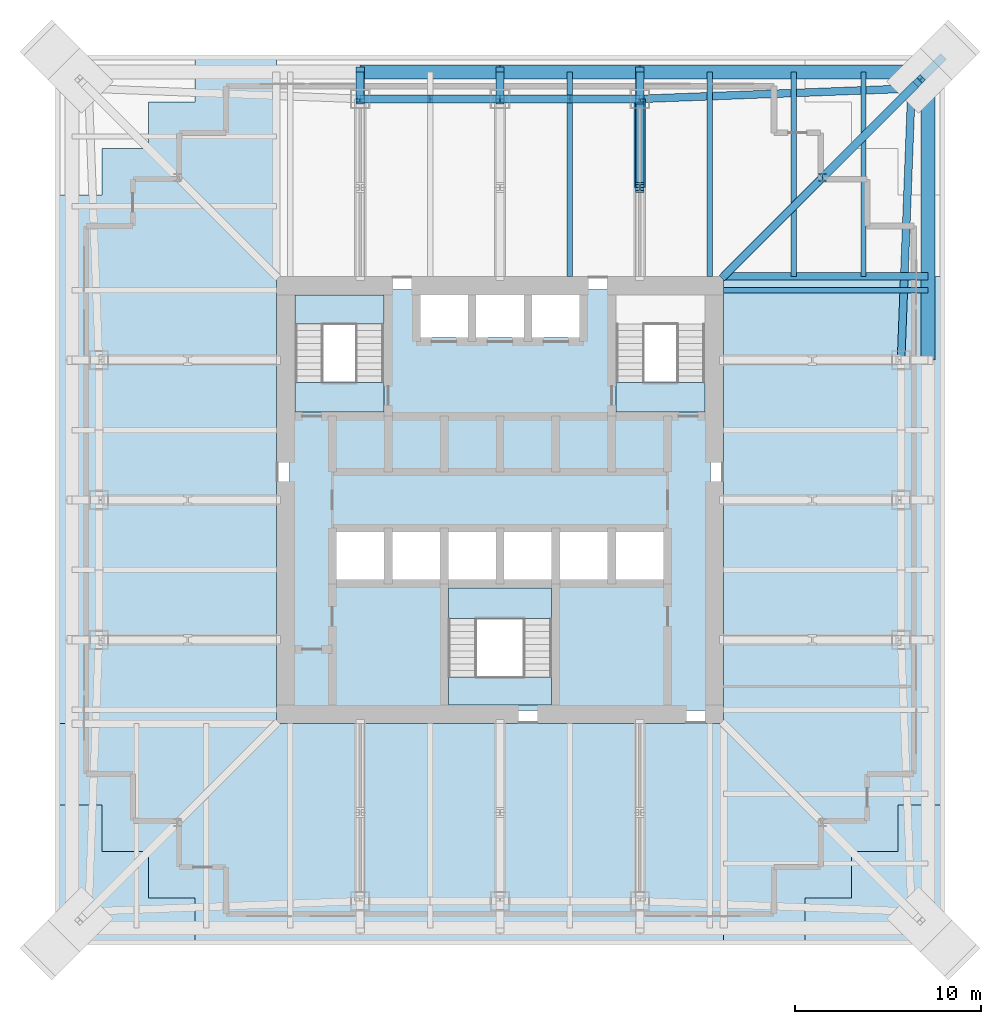
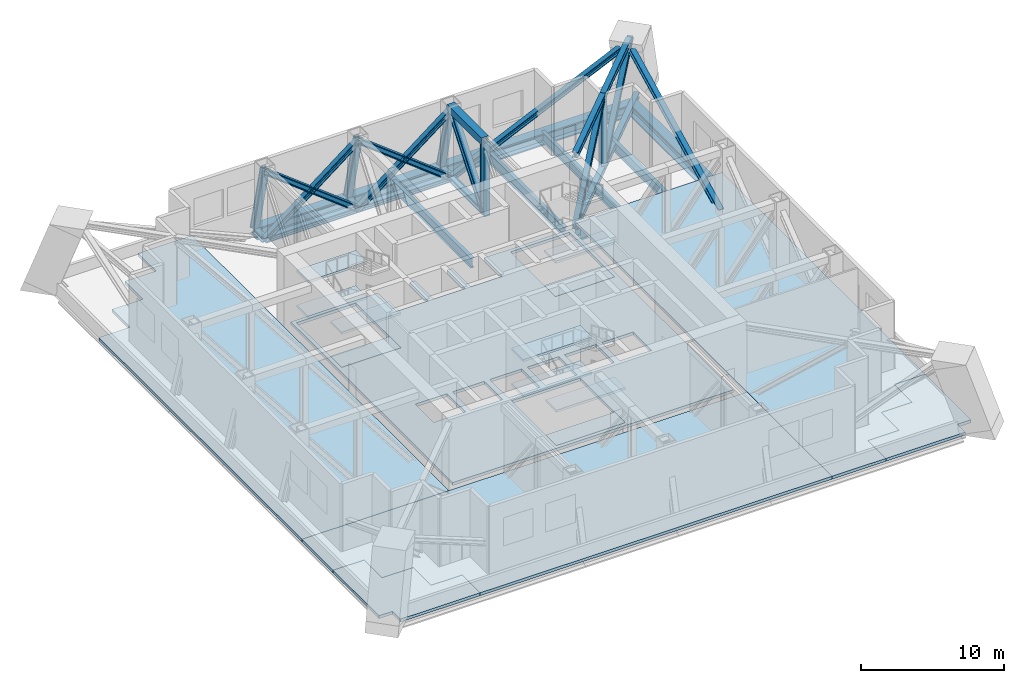
# One storey, part 4 of 8: 29 members, 16 slabs, 10 beams, 3 elements without a shape of their own.
"""IFC4 building model written with IfcOpenShell, lengths in metres."""

from ifc_helpers import new_model, si_unit, direction, frame, origin, origin_2d, place, context, subcontext, project, spatial, polyline, hollow_rectangle, i_section, outline, extrude, clip, halfspace, material, layer, layer_set, material_profile, profile_set, type_object, element, aggregate, save


model = new_model("IFC4")

# Units and contexts
model_context = context("Model", 3, precision=1e-05, world=origin(), true_north=direction((0.0, 1.0)))
body_context = subcontext(model_context, "Body", "Model", "MODEL_VIEW")
ifc_project = project(units=[si_unit("LENGTHUNIT", "METRE"), si_unit("AREAUNIT", "SQUARE_METRE"), si_unit("VOLUMEUNIT", "CUBIC_METRE"), si_unit("PLANEANGLEUNIT", "RADIAN"), si_unit("MASSUNIT", "GRAM", prefix="KILO")], contexts=[model_context])

# Site, building, storey
site_placement = place(None, origin())
site = spatial("IfcSite", under=ifc_project, at=site_placement, CompositionType="ELEMENT")
building_placement = place(site_placement, origin())
building = spatial("IfcBuilding", under=site, at=building_placement, Name="Tarangal Relay Tower", CompositionType="ELEMENT")
storey_placement = place(building_placement, frame((0.0, 0.0, 171.89990234375)))
storey = spatial("IfcBuildingStorey", under=building, at=storey_placement, Name="L35", CompositionType="ELEMENT", Elevation=171.89990234375)

# Members
ifc_material_1 = material(Name="Steel ASTM A992", Category="steel")
ifc_material_profile_1 = material_profile(ifc_material_1, i_section(OverallWidth=0.41162109375, OverallDepth=0.434326171875, WebThickness=0.035888671875, FlangeThickness=0.057373046875, at=origin_2d()), Name="W14X311")
ifc_profile_set_1 = profile_set([ifc_material_profile_1], Name="Steel ASTM A992")
member_type_1 = type_object("IfcMemberType", Name="Belt truss brace W14X311", PredefinedType="BRACE", material=ifc_profile_set_1)
for number, where, z_axis, x_axis, name in (
    (1, (-7.5, 21.514892578125, -0.4912109375), (0.790714061524, 0.0, 0.612185652321), (0.0, 1.0, 0.0), "Belt truss N L35 brace"),
    (2, (-3.75, 21.514892578125, 2.412109375), (0.790714061524, 0.0, 0.612185652321), (0.0, 1.0, 0.0), "Belt truss N L35 brace"),
    (3, (0.0, 21.514892578125, -0.4912109375), (-0.790714061524, 0.0, 0.612185652321), (0.0, -1.0, 0.0), "Belt truss N L35 brace"),
    (4, (-3.75, 21.514892578125, 2.412109375), (-0.790714061524, 0.0, 0.612185652321), (0.0, -1.0, 0.0), "Belt truss N L35 brace"),
    (5, (0.0, 21.514892578125, -0.4912109375), (0.790714061524, 0.0, 0.612185652321), (0.0, 1.0, 0.0), "Belt truss N L35 brace"),
    (6, (3.75, 21.514892578125, 2.412109375), (0.790714061524, 0.0, 0.612185652321), (0.0, 1.0, 0.0), "Belt truss N L35 brace"),
    (7, (7.5, 21.514892578125, -0.4912109375), (-0.790714061524, 0.0, 0.612185652321), (0.0, -1.0, 0.0), "Belt truss N L35 brace"),
    (8, (3.75, 21.514892578125, 2.412109375), (-0.790714061524, 0.0, 0.612185652321), (0.0, -1.0, 0.0), "Belt truss N L35 brace"),
):
    element("IfcMember", number, at=place(storey_placement, frame(where, z_axis=z_axis, x_axis=x_axis)), inside=storey, type_object=member_type_1, Name=name, PredefinedType="BRACE", context=body_context, shape_type="SweptSolid", body=[
        extrude(i_section(OverallWidth=0.41162109375, OverallDepth=0.434326171875, WebThickness=0.035888671875, FlangeThickness=0.057373046875, at=origin_2d()), origin(), (0.0, 0.0, 1.0), 4.742431640625),
    ])
for number, where, z_axis, x_axis, name in (
    (9, (7.5, 21.514892578125, -0.4912109375), (0.922635583131, 0.03539469011, 0.384045305469), (-0.038334391708, 0.999264967069, 0.0), "Belt truss N L35 end brace"),
    (10, (21.514892578125, 7.5, -0.4912109375), (0.03539469011, 0.922635583131, 0.384045305469), (-0.999264967069, 0.038334391708, 0.0), "Belt truss E L35 end brace"),
):
    element("IfcMember", number, at=place(storey_placement, frame(where, z_axis=z_axis, x_axis=x_axis)), inside=storey, type_object=member_type_1, Name=name, PredefinedType="BRACE", context=body_context, shape_type="SweptSolid", body=[
        extrude(i_section(OverallWidth=0.41162109375, OverallDepth=0.434326171875, WebThickness=0.035888671875, FlangeThickness=0.057373046875, at=origin_2d()), origin(), (0.0, 0.0, 1.0), 15.11962890625),
    ])
ifc_material_profile_2 = material_profile(ifc_material_1, i_section(OverallWidth=0.41650390625, OverallDepth=0.444580078125, WebThickness=0.0390625, FlangeThickness=0.062744140625, at=origin_2d()), Name="W14X342")
ifc_profile_set_2 = profile_set([ifc_material_profile_2], Name="Steel ASTM A992")
member_type_2 = type_object("IfcMemberType", Name="Belt truss chord W14X342", PredefinedType="CHORD", material=ifc_profile_set_2)
for number, where, z_axis, x_axis, name in (
    (11, (-7.5, 21.514892578125, -0.4912109375), (1.0, 0.0, 0.0), (0.0, 1.0, 0.0), "Belt truss N L35 bottom chord"),
    (12, (0.0, 21.514892578125, -0.4912109375), (1.0, 0.0, 0.0), (0.0, 1.0, 0.0), "Belt truss N L35 bottom chord"),
):
    element("IfcMember", number, at=place(storey_placement, frame(where, z_axis=z_axis, x_axis=x_axis)), inside=storey, type_object=member_type_2, Name=name, PredefinedType="CHORD", context=body_context, shape_type="SweptSolid", body=[
        extrude(i_section(OverallWidth=0.41650390625, OverallDepth=0.444580078125, WebThickness=0.0390625, FlangeThickness=0.062744140625, at=origin_2d()), origin(), (0.0, 0.0, 1.0), 7.5),
    ])

# Beams
ifc_material_profile_3 = material_profile(ifc_material_1, i_section(OverallWidth=0.2919921875, OverallDepth=0.8408203125, WebThickness=0.0146484375, FlangeThickness=0.021728515625, at=origin_2d()), Name="W33X130")
ifc_profile_set_3 = profile_set([ifc_material_profile_3], Name="Steel ASTM A992")
beam_type_1 = type_object("IfcBeamType", Name="Corner beam W33X130", PredefinedType="JOIST", material=ifc_profile_set_3)
for number, where, z_axis, x_axis, name in (
    (13, (15.75, 12.0, -0.67041015625), (0.0, 1.0, 0.0), (-1.0, 0.0, 0.0), "Corner beam CB2 N L35"),
    (14, (19.5, 12.0, -0.67041015625), (0.0, 1.0, 0.0), (-1.0, 0.0, 0.0), "Corner beam CB2 N L35"),
):
    element("IfcBeam", number, at=place(storey_placement, frame(where, z_axis=z_axis, x_axis=x_axis)), inside=storey, type_object=beam_type_1, Name=name, PredefinedType="JOIST", context=body_context, shape_type="SweptSolid", body=[
        extrude(i_section(OverallWidth=0.2919921875, OverallDepth=0.8408203125, WebThickness=0.0146484375, FlangeThickness=0.021728515625, at=origin_2d()), origin(), (0.0, 0.0, 1.0), 10.965087890625),
    ])
ifc_material_profile_4 = material_profile(ifc_material_1, i_section(OverallWidth=0.4013671875, OverallDepth=1.01611328125, WebThickness=0.02099609375, FlangeThickness=0.0400390625, at=origin_2d()), Name="W40X277")
ifc_profile_set_4 = profile_set([ifc_material_profile_4], Name="Steel ASTM A992")
beam_type_2 = type_object("IfcBeamType", Name="Corner girder W40X277", PredefinedType="BEAM", material=ifc_profile_set_4)
beam_placement = place(storey_placement, frame((12.0, 12.0, -0.7578125), z_axis=(1.0, 0.0, 0.0), x_axis=(0.0, 1.0, 0.0)))
element("IfcBeam", 15, at=beam_placement, inside=storey, type_object=beam_type_2, Name="Corner girder CG3 N L35", PredefinedType="BEAM", context=body_context, shape_type="SweptSolid", body=[
    extrude(i_section(OverallWidth=0.4013671875, OverallDepth=1.01611328125, WebThickness=0.02099609375, FlangeThickness=0.0400390625, at=origin_2d()), origin(), (0.0, 0.0, 1.0), 10.965087890625),
])
ifc_material_2 = material(Name="Steel ASTM A572 Grade 42", Category="steel")
ifc_material_profile_5 = material_profile(ifc_material_2, i_section(OverallWidth=0.75, OverallDepth=1.0, WebThickness=0.030029296875, FlangeThickness=0.110107421875, at=origin_2d()), Name="PG1000X750X110X30")
ifc_profile_set_5 = profile_set([ifc_material_profile_5], Name="Steel ASTM A572 Grade 42")
beam_type_3 = type_object("IfcBeamType", Name="Edge girder PG1000X750X110X30", PredefinedType="SPANDREL", material=ifc_profile_set_5)
for number, where, z_axis, x_axis, name in (
    (16, (-7.5, 22.965087890625, -0.75), (1.0, 0.0, 0.0), (0.0, 1.0, 0.0), "Edge girder EG12 N L35"),
    (17, (0.0, 22.965087890625, -0.75), (1.0, 0.0, 0.0), (0.0, 1.0, 0.0), "Edge girder EG12 N L35"),
):
    element("IfcBeam", number, at=place(storey_placement, frame(where, z_axis=z_axis, x_axis=x_axis)), inside=storey, type_object=beam_type_3, Name=name, PredefinedType="SPANDREL", context=body_context, shape_type="SweptSolid", body=[
        extrude(i_section(OverallWidth=0.75, OverallDepth=1.0, WebThickness=0.030029296875, FlangeThickness=0.110107421875, at=origin_2d()), origin(), (0.0, 0.0, 1.0), 7.5),
    ])
for number, where, z_axis, x_axis, name in (
    (18, (7.5, 22.965087890625, -0.75), (1.0, 0.0, 0.0), (0.0, 1.0, 0.0), "Edge girder EG12 N L35"),
    (19, (22.965087890625, 22.949951171875, -0.75), (0.0, -1.0, 0.0), (1.0, 0.0, 0.0), "Edge girder EG12 E L35"),
):
    element("IfcBeam", number, at=place(storey_placement, frame(where, z_axis=z_axis, x_axis=x_axis)), inside=storey, type_object=beam_type_3, Name=name, PredefinedType="SPANDREL", context=body_context, shape_type="SweptSolid", body=[
        extrude(i_section(OverallWidth=0.75, OverallDepth=1.0, WebThickness=0.030029296875, FlangeThickness=0.110107421875, at=origin_2d()), origin(), (0.0, 0.0, 1.0), 15.449951171875),
    ])
ifc_material_profile_6 = material_profile(ifc_material_1, i_section(OverallWidth=0.2919921875, OverallDepth=0.8408203125, WebThickness=0.0146484375, FlangeThickness=0.021728515625, at=origin_2d()), Name="W33X130")
ifc_profile_set_6 = profile_set([ifc_material_profile_6], Name="Steel ASTM A992")
beam_type_4 = type_object("IfcBeamType", Name="Floor beam W33X130", PredefinedType="BEAM", material=ifc_profile_set_6)
for number, where, z_axis, x_axis, name in (
    (20, (3.75, 12.0, -0.67041015625), (0.0, 1.0, 0.0), (-1.0, 0.0, 0.0), "Floor beam RB2 N L35"),
    (21, (11.25, 12.0, -0.67041015625), (0.0, 1.0, 0.0), (-1.0, 0.0, 0.0), "Floor beam RB2 N L35"),
    (22, (12.0, 11.25, -0.67041015625), (1.0, 0.0, 0.0), (0.0, 1.0, 0.0), "Floor beam RB2 E L35"),
):
    element("IfcBeam", number, at=place(storey_placement, frame(where, z_axis=z_axis, x_axis=x_axis)), inside=storey, type_object=beam_type_4, Name=name, PredefinedType="BEAM", context=body_context, shape_type="SweptSolid", body=[
        extrude(i_section(OverallWidth=0.2919921875, OverallDepth=0.8408203125, WebThickness=0.0146484375, FlangeThickness=0.021728515625, at=origin_2d()), origin(), (0.0, 0.0, 1.0), 10.965087890625),
    ])

# Members
ifc_material_profile_7 = material_profile(ifc_material_1, i_section(OverallWidth=0.421630859375, OverallDepth=0.46484375, WebThickness=0.044921875, FlangeThickness=0.072509765625, at=origin_2d()), Name="W14X398")
ifc_profile_set_7 = profile_set([ifc_material_profile_7], Name="Steel ASTM A992")
member_type_3 = type_object("IfcMemberType", Name="Outrigger chord W14X398", PredefinedType="CHORD", material=ifc_profile_set_7)
member_1_placement = place(storey_placement, frame((12.0, 12.0, -0.482421875), z_axis=(0.707106781187, 0.707106781187, 0.0), x_axis=(-0.707106781187, 0.707106781187, 0.0)))
element("IfcMember", 23, at=member_1_placement, inside=storey, type_object=member_type_3, Name="Outrigger NE L35 bottom chord", PredefinedType="CHORD", context=body_context, shape_type="SweptSolid", body=[
    extrude(i_section(OverallWidth=0.421630859375, OverallDepth=0.46484375, WebThickness=0.044921875, FlangeThickness=0.072509765625, at=origin_2d()), origin(), (0.0, 0.0, 1.0), 7.4921875),
])
member_2_placement = place(storey_placement, frame((17.2978515625, 17.2978515625, -0.482421875), z_axis=(0.707106781187, 0.707106781187, 0.0), x_axis=(-0.707106781187, 0.707106781187, 0.0)))
element("IfcMember", 24, at=member_2_placement, inside=storey, type_object=member_type_3, Name="Outrigger NE L35 bottom chord", PredefinedType="CHORD", context=body_context, shape_type="Clipping", body=[
    clip(extrude(i_section(OverallWidth=0.421630859375, OverallDepth=0.46484375, WebThickness=0.044921875, FlangeThickness=0.072509765625, at=origin_2d()), origin(), (0.0, 0.0, 1.0), 9.478271484375), halfspace(frame((0.0, 0.0, 9.1826171875)), False)),
])
member_3_placement = place(storey_placement, frame((12.0, 12.0, 5.61767578125), z_axis=(0.707106781187, 0.707106781187, 0.0), x_axis=(-0.707106781187, 0.707106781187, 0.0)))
element("IfcMember", 25, at=member_3_placement, inside=storey, type_object=member_type_3, Name="Outrigger NE L35 top chord", PredefinedType="CHORD", context=body_context, shape_type="SweptSolid", body=[
    extrude(i_section(OverallWidth=0.421630859375, OverallDepth=0.46484375, WebThickness=0.044921875, FlangeThickness=0.072509765625, at=origin_2d()), origin(), (0.0, 0.0, 1.0), 7.4921875),
])
member_4_placement = place(storey_placement, frame((17.2978515625, 17.2978515625, 5.61767578125), z_axis=(0.707106781187, 0.707106781187, 0.0), x_axis=(-0.707106781187, 0.707106781187, 0.0)))
element("IfcMember", 26, at=member_4_placement, inside=storey, type_object=member_type_3, Name="Outrigger NE L35 top chord", PredefinedType="CHORD", context=body_context, shape_type="Clipping", body=[
    clip(extrude(i_section(OverallWidth=0.421630859375, OverallDepth=0.46484375, WebThickness=0.044921875, FlangeThickness=0.072509765625, at=origin_2d()), origin(), (0.0, 0.0, 1.0), 7.4921875), halfspace(frame((0.0, 0.0, 7.061279296875)), False)),
])
ifc_material_profile_8 = material_profile(ifc_material_1, i_section(OverallWidth=0.408935546875, OverallDepth=0.42431640625, WebThickness=0.03271484375, FlangeThickness=0.052490234375, at=origin_2d()), Name="W14X283")
ifc_profile_set_8 = profile_set([ifc_material_profile_8], Name="Steel ASTM A992")
member_type_4 = type_object("IfcMemberType", Name="Outrigger web W14X283", PredefinedType="STRUT", material=ifc_profile_set_8)
member_5_placement = place(storey_placement, frame((17.2978515625, 17.2978515625, -0.482421875), z_axis=(0.0, 0.0, 1.0), x_axis=(1.0, 0.0, 0.0)))
element("IfcMember", 27, at=member_5_placement, inside=storey, type_object=member_type_4, Name="Outrigger NE L35 vertical", PredefinedType="STRUT", context=body_context, shape_type="SweptSolid", body=[
    extrude(i_section(OverallWidth=0.408935546875, OverallDepth=0.42431640625, WebThickness=0.03271484375, FlangeThickness=0.052490234375, at=origin_2d()), origin(), (0.0, 0.0, 1.0), 6.10009765625),
])
for number, where, z_axis, x_axis, name in (
    (28, (12.0, 12.0, -0.482421875), (0.548343544499, 0.548343544499, 0.631378424095), (-0.707106781187, 0.707106781187, 0.0), "Outrigger NE L35 diagonal"),
    (29, (17.2978515625, 17.2978515625, -0.482421875), (0.548343544499, 0.548343544499, 0.631378424095), (-0.707106781187, 0.707106781187, 0.0), "Outrigger NE L35 diagonal"),
):
    element("IfcMember", number, at=place(storey_placement, frame(where, z_axis=z_axis, x_axis=x_axis)), inside=storey, type_object=member_type_4, Name=name, PredefinedType="STRUT", context=body_context, shape_type="SweptSolid", body=[
        extrude(i_section(OverallWidth=0.408935546875, OverallDepth=0.42431640625, WebThickness=0.03271484375, FlangeThickness=0.052490234375, at=origin_2d()), origin(), (0.0, 0.0, 1.0), 9.66162109375),
    ])
ifc_material_profile_9 = material_profile(ifc_material_1, i_section(OverallWidth=0.4267578125, OverallDepth=0.482666015625, WebThickness=0.05126953125, FlangeThickness=0.08154296875, at=origin_2d()), Name="W14X455")
ifc_profile_set_9 = profile_set([ifc_material_profile_9], Name="Steel ASTM A992")
member_type_5 = type_object("IfcMemberType", Name="Transfer truss chord W14X455", PredefinedType="CHORD", material=ifc_profile_set_9)
for number, where, z_axis, x_axis, name in (
    (30, (-7.5, 21.514892578125, -0.4912109375), (0.0, 1.0, 0.0), (-1.0, 0.0, 0.0), "Transfer truss N -7.5 L35 bottom chord"),
    (31, (0.0, 21.514892578125, -0.4912109375), (0.0, 1.0, 0.0), (-1.0, 0.0, 0.0), "Transfer truss N +0.0 L35 bottom chord"),
):
    element("IfcMember", number, at=place(storey_placement, frame(where, z_axis=z_axis, x_axis=x_axis)), inside=storey, type_object=member_type_5, Name=name, PredefinedType="CHORD", context=body_context, shape_type="SweptSolid", body=[
        extrude(i_section(OverallWidth=0.4267578125, OverallDepth=0.482666015625, WebThickness=0.05126953125, FlangeThickness=0.08154296875, at=origin_2d()), origin(), (0.0, 0.0, 1.0), 1.4501953125),
    ])
member_6_placement = place(storey_placement, frame((7.5, 16.757568359375, -0.4912109375), z_axis=(0.0, 1.0, 0.0), x_axis=(-1.0, 0.0, 0.0)))
element("IfcMember", 32, at=member_6_placement, inside=storey, type_object=member_type_5, Name="Transfer truss N +7.5 L35 bottom chord", PredefinedType="CHORD", context=body_context, shape_type="SweptSolid", body=[
    extrude(i_section(OverallWidth=0.4267578125, OverallDepth=0.482666015625, WebThickness=0.05126953125, FlangeThickness=0.08154296875, at=origin_2d()), origin(), (0.0, 0.0, 1.0), 4.75732421875),
])
member_7_placement = place(storey_placement, frame((7.5, 21.514892578125, -0.4912109375), z_axis=(0.0, 1.0, 0.0), x_axis=(-1.0, 0.0, 0.0)))
element("IfcMember", 33, at=member_7_placement, inside=storey, type_object=member_type_5, Name="Transfer truss N +7.5 L35 bottom chord", PredefinedType="CHORD", context=body_context, shape_type="SweptSolid", body=[
    extrude(i_section(OverallWidth=0.4267578125, OverallDepth=0.482666015625, WebThickness=0.05126953125, FlangeThickness=0.08154296875, at=origin_2d()), origin(), (0.0, 0.0, 1.0), 1.4501953125),
])
ifc_material_3 = material(Name="Steel ASTM A572 Grade 50", Category="steel")
ifc_material_profile_10 = material_profile(ifc_material_3, hollow_rectangle(XDim=0.60009765625, YDim=0.60009765625, WallThickness=0.070068359375, at=origin_2d()), Name="BOX600X600X70")
ifc_profile_set_10 = profile_set([ifc_material_profile_10], Name="Steel ASTM A572 Grade 50")
member_type_6 = type_object("IfcMemberType", Name="Transfer truss top chord BOX600X600X70", PredefinedType="CHORD", material=ifc_profile_set_10)
member_8_placement = place(storey_placement, frame((7.5, 16.757568359375, 5.550048828125), z_axis=(0.0, 1.0, 0.0), x_axis=(-1.0, 0.0, 0.0)))
element("IfcMember", 34, at=member_8_placement, inside=storey, type_object=member_type_6, Name="Transfer truss N +7.5 L35 top chord", PredefinedType="CHORD", context=body_context, shape_type="SweptSolid", body=[
    extrude(hollow_rectangle(XDim=0.60009765625, YDim=0.60009765625, WallThickness=0.070068359375, at=origin_2d()), origin(), (0.0, 0.0, 1.0), 4.75732421875),
])
ifc_material_profile_11 = material_profile(ifc_material_1, i_section(OverallWidth=0.44970703125, OverallDepth=0.548583984375, WebThickness=0.072021484375, FlangeThickness=0.11474609375, at=origin_2d()), Name="W14X665")
ifc_profile_set_11 = profile_set([ifc_material_profile_11], Name="Steel ASTM A992")
member_type_7 = type_object("IfcMemberType", Name="Transfer truss web W14X665", PredefinedType="STRUT", material=ifc_profile_set_11)
for number, where, z_axis, x_axis, name in (
    (35, (-7.5, 22.965087890625, -0.4912109375), (0.0, -0.233417539086, 0.972376600113), (1.0, 0.0, 0.0), "Transfer truss N -7.5 L35 end diagonal"),
    (36, (0.0, 22.965087890625, -0.4912109375), (0.0, -0.233417539086, 0.972376600113), (1.0, 0.0, 0.0), "Transfer truss N +0.0 L35 end diagonal"),
):
    element("IfcMember", number, at=place(storey_placement, frame(where, z_axis=z_axis, x_axis=x_axis)), inside=storey, type_object=member_type_7, Name=name, PredefinedType="STRUT", context=body_context, shape_type="SweptSolid", body=[
        extrude(i_section(OverallWidth=0.44970703125, OverallDepth=0.548583984375, WebThickness=0.072021484375, FlangeThickness=0.11474609375, at=origin_2d()), origin(), (0.0, 0.0, 1.0), 6.212890625),
    ])
member_9_placement = place(storey_placement, frame((7.5, 16.757568359375, -0.732421875), z_axis=(0.0, 0.0, 1.0), x_axis=(1.0, 0.0, 0.0)))
element("IfcMember", 37, at=member_9_placement, inside=storey, type_object=member_type_7, Name="Transfer truss N +7.5 L35 vertical", PredefinedType="STRUT", context=body_context, shape_type="SweptSolid", body=[
    extrude(i_section(OverallWidth=0.44970703125, OverallDepth=0.548583984375, WebThickness=0.072021484375, FlangeThickness=0.11474609375, at=origin_2d()), origin(), (0.0, 0.0, 1.0), 6.282470703125),
])
member_10_placement = place(storey_placement, frame((7.5, 16.757568359375, -0.4912109375), z_axis=(0.0, 0.618675124983, 0.785646924341), x_axis=(-1.0, 0.0, 0.0)))
element("IfcMember", 38, at=member_10_placement, inside=storey, type_object=member_type_7, Name="Transfer truss N +7.5 L35 diagonal", PredefinedType="STRUT", context=body_context, shape_type="SweptSolid", body=[
    extrude(i_section(OverallWidth=0.44970703125, OverallDepth=0.548583984375, WebThickness=0.072021484375, FlangeThickness=0.11474609375, at=origin_2d()), origin(), (0.0, 0.0, 1.0), 7.689453125),
])
member_11_placement = place(storey_placement, frame((7.5, 22.965087890625, -0.4912109375), z_axis=(0.0, -0.233417539086, 0.972376600113), x_axis=(1.0, 0.0, 0.0)))
element("IfcMember", 39, at=member_11_placement, inside=storey, type_object=member_type_7, Name="Transfer truss N +7.5 L35 end diagonal", PredefinedType="STRUT", context=body_context, shape_type="SweptSolid", body=[
    extrude(i_section(OverallWidth=0.44970703125, OverallDepth=0.548583984375, WebThickness=0.072021484375, FlangeThickness=0.11474609375, at=origin_2d()), origin(), (0.0, 0.0, 1.0), 6.212890625),
])

# Slabs
ifc_material_4 = material(Name="Concrete fc' 35 MPa", Category="concrete")
ifc_layer_1 = layer(ifc_material_4, 0.25)
ifc_layer_set_1 = layer_set([ifc_layer_1], Name="Core floor slab 250")
slab_type_1 = type_object("IfcSlabType", Name="Core floor slab 250", PredefinedType="FLOOR", material=ifc_layer_set_1)
slab_1_placement = place(storey_placement, frame((0.0, 0.0, -0.25)))
element("IfcSlab", 40, at=slab_1_placement, inside=storey, type_object=slab_type_1, Name="Core floor slab L35", PredefinedType="FLOOR", context=body_context, shape_type="SweptSolid", body=[
    extrude(outline(polyline([(11.300048828125, 11.300048828125), (11.300048828125, -11.300048828125), (-11.300048828125, -11.300048828125), (-11.300048828125, 11.300048828125), (-4.27490234375, 11.300048828125), (-4.27490234375, 8.72509765625), (-1.72509765625, 8.72509765625), (-1.72509765625, 11.300048828125), (-1.27490234375, 11.300048828125), (-1.27490234375, 8.72509765625), (1.27490234375, 8.72509765625), (1.27490234375, 11.300048828125), (1.72509765625, 11.300048828125), (1.72509765625, 8.72509765625), (4.27490234375, 8.72509765625), (4.27490234375, 11.300048828125), (11.300048828125, 11.300048828125)]), holes=[polyline([(-6.22509765625, -1.72509765625), (-8.77490234375, -1.72509765625), (-8.77490234375, -4.27490234375), (-6.22509765625, -4.27490234375), (-6.22509765625, -1.72509765625)]), polyline([(-3.22509765625, -4.27490234375), (-3.22509765625, -1.72509765625), (-5.77490234375, -1.72509765625), (-5.77490234375, -4.27490234375), (-3.22509765625, -4.27490234375)]), polyline([(-0.22509765625, -4.27490234375), (-0.22509765625, -1.72509765625), (-2.77490234375, -1.72509765625), (-2.77490234375, -4.27490234375), (-0.22509765625, -4.27490234375)]), polyline([(-6.22509765625, 11.0), (-11.0, 11.0), (-11.0, 4.72509765625), (-6.22509765625, 4.72509765625), (-6.22509765625, 11.0)]), polyline([(2.77490234375, -4.72509765625), (-2.77490234375, -4.72509765625), (-2.77490234375, -11.0), (2.77490234375, -11.0), (2.77490234375, -4.72509765625)]), polyline([(2.77490234375, -4.27490234375), (2.77490234375, -1.72509765625), (0.22509765625, -1.72509765625), (0.22509765625, -4.27490234375), (2.77490234375, -4.27490234375)]), polyline([(5.77490234375, -4.27490234375), (5.77490234375, -1.72509765625), (3.22509765625, -1.72509765625), (3.22509765625, -4.27490234375), (5.77490234375, -4.27490234375)]), polyline([(8.77490234375, -1.72509765625), (6.22509765625, -1.72509765625), (6.22509765625, -4.27490234375), (8.77490234375, -4.27490234375), (8.77490234375, -1.72509765625)]), polyline([(11.0, 4.72509765625), (11.0, 11.0), (6.22509765625, 11.0), (6.22509765625, 4.72509765625), (11.0, 4.72509765625)])]), origin(), (0.0, 0.0, 1.0), 0.25),
])
ifc_layer_2 = layer(ifc_material_4, 0.25)
ifc_layer_set_2 = layer_set([ifc_layer_2], Name="Floor slab 250")
slab_type_2 = type_object("IfcSlabType", Name="Floor slab 250", PredefinedType="FLOOR", material=ifc_layer_set_2)
slab_2_placement = place(storey_placement, frame((0.0, 0.0, -0.25)))
element("IfcSlab", 41, at=slab_2_placement, inside=storey, type_object=slab_type_2, Name="Floor slab FS1 L35 east bay", PredefinedType="FLOOR", context=body_context, shape_type="SweptSolid", body=[
    extrude(outline(polyline([(23.85009765625, -16.35009765625), (21.35009765625, -16.35009765625), (21.35009765625, -18.85009765625), (18.85009765625, -18.85009765625), (18.85009765625, -21.35009765625), (16.35009765625, -21.35009765625), (16.35009765625, -23.85009765625), (12.0, -23.85009765625), (12.0, 12.0), (23.85009765625, 12.0), (23.85009765625, -16.35009765625)])), origin(), (0.0, 0.0, 1.0), 0.25),
])
slab_3_placement = place(storey_placement, frame((0.0, 0.0, -0.25)))
element("IfcSlab", 42, at=slab_3_placement, inside=storey, type_object=slab_type_2, Name="Floor slab FS1 L35 south bay", PredefinedType="FLOOR", context=body_context, shape_type="SweptSolid", body=[
    extrude(outline(polyline([(-16.35009765625, -23.85009765625), (-16.35009765625, -21.35009765625), (-18.85009765625, -21.35009765625), (-18.85009765625, -18.85009765625), (-21.35009765625, -18.85009765625), (-21.35009765625, -16.35009765625), (-23.85009765625, -16.35009765625), (-23.85009765625, -12.0), (12.0, -12.0), (12.0, -23.85009765625), (-16.35009765625, -23.85009765625)])), origin(), (0.0, 0.0, 1.0), 0.25),
])
slab_4_placement = place(storey_placement, frame((0.0, 0.0, -0.25)))
element("IfcSlab", 43, at=slab_4_placement, inside=storey, type_object=slab_type_2, Name="Floor slab FS1 L35 west bay", PredefinedType="FLOOR", context=body_context, shape_type="SweptSolid", body=[
    extrude(outline(polyline([(-12.0, 23.85009765625), (-12.0, -12.0), (-23.85009765625, -12.0), (-23.85009765625, 16.35009765625), (-21.35009765625, 16.35009765625), (-21.35009765625, 18.85009765625), (-18.85009765625, 18.85009765625), (-18.85009765625, 21.35009765625), (-16.35009765625, 21.35009765625), (-16.35009765625, 23.85009765625), (-12.0, 23.85009765625)])), origin(), (0.0, 0.0, 1.0), 0.25),
])
ifc_layer_3 = layer(ifc_material_4, 0.25)
ifc_layer_set_3 = layer_set([ifc_layer_3], Name="Ledge slab 250")
slab_type_3 = type_object("IfcSlabType", Name="Ledge slab 250", PredefinedType="FLOOR", material=ifc_layer_set_3)
slab_5_placement = place(storey_placement, frame((0.0, 0.0, -0.25)))
element("IfcSlab", 44, at=slab_5_placement, inside=storey, type_object=slab_type_3, Name="Corner ledge SE L35", PredefinedType="FLOOR", context=body_context, shape_type="SweptSolid", body=[
    extrude(outline(polyline([(23.85009765625, -16.35009765625), (21.35009765625, -16.35009765625), (21.35009765625, -18.85009765625), (18.85009765625, -18.85009765625), (18.85009765625, -21.35009765625), (16.35009765625, -21.35009765625), (16.35009765625, -23.85009765625), (22.75, -23.85009765625), (22.75, -22.75), (23.85009765625, -22.75), (23.85009765625, -16.35009765625)])), origin(), (0.0, 0.0, 1.0), 0.25),
])
slab_6_placement = place(storey_placement, frame((0.0, 0.0, -0.25)))
element("IfcSlab", 45, at=slab_6_placement, inside=storey, type_object=slab_type_3, Name="Corner ledge SW L35", PredefinedType="FLOOR", context=body_context, shape_type="SweptSolid", body=[
    extrude(outline(polyline([(-16.35009765625, -23.85009765625), (-16.35009765625, -21.35009765625), (-18.85009765625, -21.35009765625), (-18.85009765625, -18.85009765625), (-21.35009765625, -18.85009765625), (-21.35009765625, -16.35009765625), (-23.85009765625, -16.35009765625), (-23.85009765625, -22.75), (-22.75, -22.75), (-22.75, -23.85009765625), (-16.35009765625, -23.85009765625)])), origin(), (0.0, 0.0, 1.0), 0.25),
])

# Stair, slabs
ifc_material_5 = material(Name="Steel ASTM A992 stair flight", Category="steel")
stair_type = type_object("IfcStairType", Name="Core stair 1500", PredefinedType="HALF_TURN_STAIR", material=ifc_material_5)
stair_1_placement = place(storey_placement, origin())
stair_1 = element("IfcStair", 46, at=stair_1_placement, inside=storey, type_object=stair_type, Name="Stair ST-A L35", PredefinedType="HALF_TURN_STAIR")
ifc_layer_4 = layer(ifc_material_4, 0.199951171875)
ifc_layer_set_4 = layer_set([ifc_layer_4], Name="Stair landing 200")
slab_type_4 = type_object("IfcSlabType", Name="Stair landing 200", PredefinedType="LANDING", material=ifc_layer_set_4)
slab_7_placement = place(storey_placement, frame((0.0, 0.0, -0.199951171875)))
slab_7 = element("IfcSlab", 47, at=slab_7_placement, type_object=slab_type_4, Name="ST-A landing 1", PredefinedType="LANDING", context=body_context, shape_type="SweptSolid", body=[
    extrude(outline(polyline([(-11.0, 4.72509765625), (-6.22509765625, 4.72509765625), (-6.22509765625, 6.300048828125), (-11.0, 6.300048828125), (-11.0, 4.72509765625)])), origin(), (0.0, 0.0, 1.0), 0.199951171875),
])
slab_8_placement = place(storey_placement, frame((0.0, 0.0, 1.300048828125)))
slab_8 = element("IfcSlab", 48, at=slab_8_placement, type_object=slab_type_4, Name="ST-A landing 2", PredefinedType="LANDING", context=body_context, shape_type="SweptSolid", body=[
    extrude(outline(polyline([(-11.0, 9.431884765625), (-6.22509765625, 9.431884765625), (-6.22509765625, 11.0), (-11.0, 11.0), (-11.0, 9.431884765625)])), origin(), (0.0, 0.0, 1.0), 0.199951171875),
])
slab_9_placement = place(storey_placement, frame((0.0, 0.0, 2.800048828125)))
slab_9 = element("IfcSlab", 49, at=slab_9_placement, type_object=slab_type_4, Name="ST-A landing 3", PredefinedType="LANDING", context=body_context, shape_type="SweptSolid", body=[
    extrude(outline(polyline([(-11.0, 4.72509765625), (-6.22509765625, 4.72509765625), (-6.22509765625, 6.300048828125), (-11.0, 6.300048828125), (-11.0, 4.72509765625)])), origin(), (0.0, 0.0, 1.0), 0.199951171875),
])
slab_10_placement = place(storey_placement, frame((0.0, 0.0, 4.300048828125)))
slab_10 = element("IfcSlab", 50, at=slab_10_placement, type_object=slab_type_4, Name="ST-A landing 4", PredefinedType="LANDING", context=body_context, shape_type="SweptSolid", body=[
    extrude(outline(polyline([(-11.0, 9.431884765625), (-6.22509765625, 9.431884765625), (-6.22509765625, 11.0), (-11.0, 11.0), (-11.0, 9.431884765625)])), origin(), (0.0, 0.0, 1.0), 0.199951171875),
])
aggregate(stair_1, [slab_7, slab_8, slab_9, slab_10])

stair_2_placement = place(storey_placement, origin())
stair_2 = element("IfcStair", 51, at=stair_2_placement, inside=storey, type_object=stair_type, Name="Stair ST-B L35", PredefinedType="HALF_TURN_STAIR")
slab_11_placement = place(storey_placement, frame((0.0, 0.0, -0.199951171875)))
slab_11 = element("IfcSlab", 52, at=slab_11_placement, type_object=slab_type_4, Name="ST-B landing 1", PredefinedType="LANDING", context=body_context, shape_type="SweptSolid", body=[
    extrude(outline(polyline([(6.22509765625, 4.72509765625), (11.0, 4.72509765625), (11.0, 6.300048828125), (6.22509765625, 6.300048828125), (6.22509765625, 4.72509765625)])), origin(), (0.0, 0.0, 1.0), 0.199951171875),
])
slab_12_placement = place(storey_placement, frame((0.0, 0.0, 2.800048828125)))
slab_12 = element("IfcSlab", 53, at=slab_12_placement, type_object=slab_type_4, Name="ST-B landing 3", PredefinedType="LANDING", context=body_context, shape_type="SweptSolid", body=[
    extrude(outline(polyline([(6.22509765625, 4.72509765625), (11.0, 4.72509765625), (11.0, 6.300048828125), (6.22509765625, 6.300048828125), (6.22509765625, 4.72509765625)])), origin(), (0.0, 0.0, 1.0), 0.199951171875),
])
aggregate(stair_2, [slab_11, slab_12])

stair_3_placement = place(storey_placement, origin())
stair_3 = element("IfcStair", 54, at=stair_3_placement, inside=storey, type_object=stair_type, Name="Stair ST-C L35", PredefinedType="HALF_TURN_STAIR")
slab_13_placement = place(storey_placement, frame((0.0, 0.0, -0.199951171875)))
slab_13 = element("IfcSlab", 55, at=slab_13_placement, type_object=slab_type_4, Name="ST-C landing 1", PredefinedType="LANDING", context=body_context, shape_type="SweptSolid", body=[
    extrude(outline(polyline([(-2.77490234375, -11.0), (2.77490234375, -11.0), (2.77490234375, -9.5), (-2.77490234375, -9.5), (-2.77490234375, -11.0)])), origin(), (0.0, 0.0, 1.0), 0.199951171875),
])
slab_14_placement = place(storey_placement, frame((0.0, 0.0, 1.300048828125)))
slab_14 = element("IfcSlab", 56, at=slab_14_placement, type_object=slab_type_4, Name="ST-C landing 2", PredefinedType="LANDING", context=body_context, shape_type="SweptSolid", body=[
    extrude(outline(polyline([(-2.77490234375, -6.367919921875), (2.77490234375, -6.367919921875), (2.77490234375, -4.72509765625), (-2.77490234375, -4.72509765625), (-2.77490234375, -6.367919921875)])), origin(), (0.0, 0.0, 1.0), 0.199951171875),
])
slab_15_placement = place(storey_placement, frame((0.0, 0.0, 2.800048828125)))
slab_15 = element("IfcSlab", 57, at=slab_15_placement, type_object=slab_type_4, Name="ST-C landing 3", PredefinedType="LANDING", context=body_context, shape_type="SweptSolid", body=[
    extrude(outline(polyline([(-2.77490234375, -11.0), (2.77490234375, -11.0), (2.77490234375, -9.5), (-2.77490234375, -9.5), (-2.77490234375, -11.0)])), origin(), (0.0, 0.0, 1.0), 0.199951171875),
])
slab_16_placement = place(storey_placement, frame((0.0, 0.0, 4.300048828125)))
slab_16 = element("IfcSlab", 58, at=slab_16_placement, type_object=slab_type_4, Name="ST-C landing 4", PredefinedType="LANDING", context=body_context, shape_type="SweptSolid", body=[
    extrude(outline(polyline([(-2.77490234375, -6.367919921875), (2.77490234375, -6.367919921875), (2.77490234375, -4.72509765625), (-2.77490234375, -4.72509765625), (-2.77490234375, -6.367919921875)])), origin(), (0.0, 0.0, 1.0), 0.199951171875),
])
aggregate(stair_3, [slab_13, slab_14, slab_15, slab_16])

save(model, "model.ifc")
